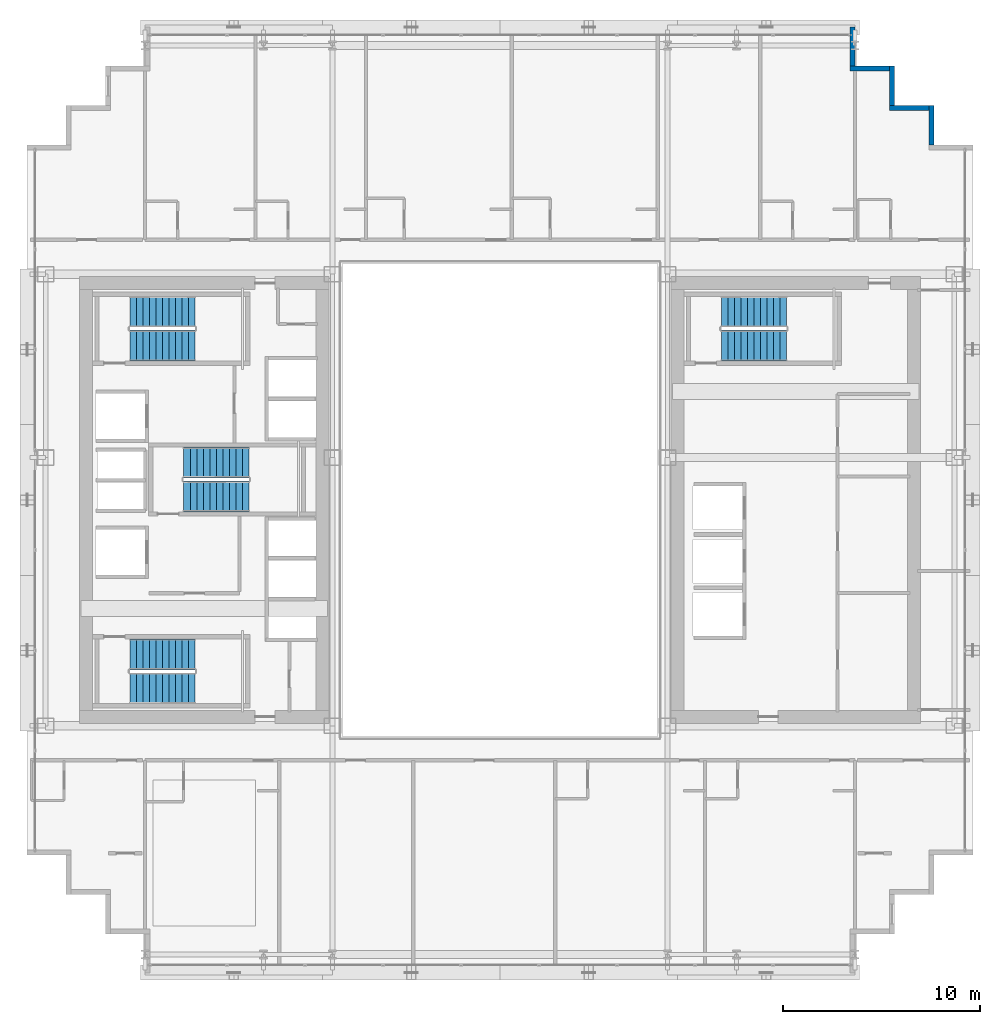
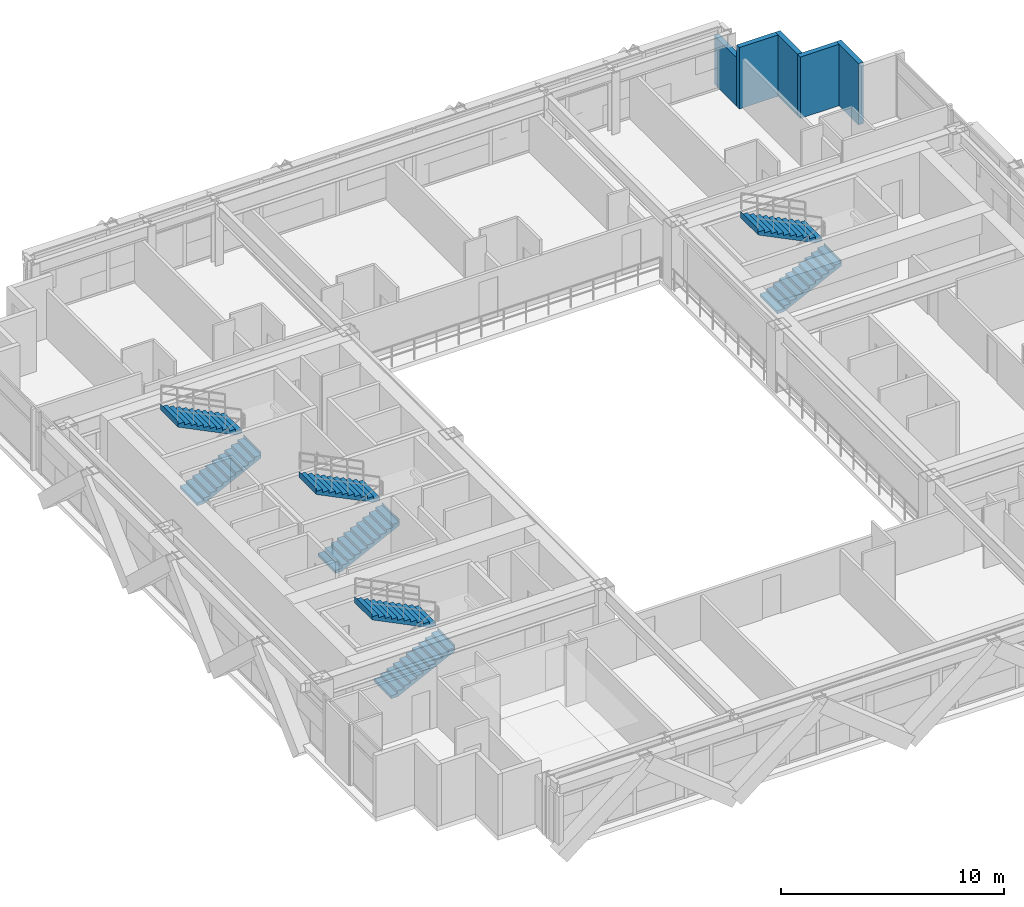
# One storey, part 31 of 35: 8 stair flights, 5 walls, 4 elements without a shape of their own.
"""IFC4 building model written with IfcOpenShell, lengths in metres."""

from ifc_helpers import new_model, si_unit, direction, frame, frame_2d, origin, place, context, subcontext, project, spatial, polyline, rectangle, outline, extrude, source, transform, mapped, material, layer, layer_set, type_object, element, aggregate, save


model = new_model("IFC4")

# Units and contexts
model_context = context("Model", 3, precision=1e-05, world=origin(), true_north=direction((0.0, 1.0)))
body_context = subcontext(model_context, "Body", "Model", "MODEL_VIEW")
ifc_project = project(units=[si_unit("LENGTHUNIT", "METRE"), si_unit("AREAUNIT", "SQUARE_METRE"), si_unit("VOLUMEUNIT", "CUBIC_METRE"), si_unit("PLANEANGLEUNIT", "RADIAN"), si_unit("MASSUNIT", "GRAM", prefix="KILO")], contexts=[model_context])

# Site, building, storey
site_placement = place(None, origin())
site = spatial("IfcSite", under=ifc_project, at=site_placement, CompositionType="ELEMENT")
building_placement = place(site_placement, origin())
building = spatial("IfcBuilding", under=site, at=building_placement, Name="Ocotamira Hotel", CompositionType="ELEMENT")
storey_placement = place(building_placement, frame((0.0, 0.0, 140.39990234375)))
storey = spatial("IfcBuildingStorey", under=building, at=storey_placement, Name="L35", CompositionType="ELEMENT", Elevation=140.39990234375)

# Walls
ifc_material_1 = material(Name="Precast concrete C45/55", Category="concrete")
ifc_layer = layer(ifc_material_1, 0.25)
ifc_layer_set = layer_set([ifc_layer], Name="Precast concrete C45/55")
wall_type = type_object("IfcWallType", Name="WL-EXT-SER-250", PredefinedType="SOLIDWALL", material=ifc_layer_set)
for number, where, z_axis, x_axis, name in (
    (1, (53.875, 44.0, 0.0), (0.0, 0.0, 1.0), (0.0, 1.0, 0.0), "L35 Serrated Corner Wall 08"),
    (2, (53.75, 45.875, 0.0), (0.0, 0.0, 1.0), (-1.0, 0.0, 0.0), "L35 Serrated Corner Wall 09"),
    (3, (51.875, 46.0, 0.0), (0.0, 0.0, 1.0), (0.0, 1.0, 0.0), "L35 Serrated Corner Wall 10"),
    (4, (51.75, 47.875, 0.0), (0.0, 0.0, 1.0), (-1.0, 0.0, 0.0), "L35 Serrated Corner Wall 11"),
):
    element("IfcWall", number, at=place(storey_placement, frame(where, z_axis=z_axis, x_axis=x_axis)), inside=storey, type_object=wall_type, Name=name, PredefinedType="SOLIDWALL", context=body_context, shape_type="SweptSolid", body=[
        extrude(rectangle(XDim=2.0, YDim=0.25, at=frame_2d((1.0, 0.0))), origin(), (0.0, 0.0, 1.0), 3.360107421875),
    ])
wall_placement = place(storey_placement, frame((49.875, 48.0, 0.0), z_axis=(0.0, 0.0, 1.0), x_axis=(0.0, 1.0, 0.0)))
element("IfcWall", 5, at=wall_placement, inside=storey, type_object=wall_type, Name="L35 Serrated Corner Wall 12", PredefinedType="SOLIDWALL", context=body_context, shape_type="SweptSolid", body=[
    extrude(rectangle(XDim=2.0, YDim=0.25, at=frame_2d((1.0, 0.0))), origin(), (0.0, 0.0, 1.0), 2.6669921875),
])

# Stair, stair flights
ifc_material_2 = material(Name="Concrete C40/50", Category="concrete")
stair_type = type_object("IfcStairType", Name="ST-CORE-1560", PredefinedType="HALF_TURN_STAIR", material=ifc_material_2)
stair_1_placement = place(storey_placement, origin())
stair_1 = element("IfcStair", 6, at=stair_1_placement, inside=storey, type_object=stair_type, Name="L35 Exit Stair ST-1", PredefinedType="HALF_TURN_STAIR")
stair_flight_type = type_object("IfcStairFlightType", Name="STF-CORE-1560", PredefinedType="STRAIGHT", material=ifc_material_2)
shared_shape = source(origin(), body_context, "Body", "SweptSolid", [
    extrude(outline(polyline([(-0.00390625, 0.0), (-0.00390625, 0.16357421875), (0.330078125, 0.16357421875), (0.330078125, 0.327392578125), (0.659912109375, 0.327392578125), (0.659912109375, 0.490966796875), (0.989990234375, 0.490966796875), (0.989990234375, 0.654541015625), (1.320068359375, 0.654541015625), (1.320068359375, 0.818115234375), (1.64990234375, 0.818115234375), (1.64990234375, 0.98193359375), (1.97998046875, 0.98193359375), (1.97998046875, 1.1455078125), (2.31005859375, 1.1455078125), (2.31005859375, 1.30908203125), (2.639892578125, 1.30908203125), (2.639892578125, 1.47265625), (2.969970703125, 1.47265625), (2.969970703125, 1.636474609375), (3.300048828125, 1.636474609375), (3.300048828125, 1.800048828125), (3.303955078125, 1.800048828125), (3.303955078125, 1.468994140625), (0.33740234375, 0.0), (-0.00390625, 0.0)])), frame((0.0, 0.780029296875, 0.0), z_axis=(0.0, -1.0, 0.0), x_axis=(1.0, 0.0, 0.0)), (0.0, 0.0, 1.0), 1.56005859375),
])
stair_flight_1_placement = place(storey_placement, frame((13.22998046875, 16.449951171875, 0.0), z_axis=(0.0, 0.0, 1.0), x_axis=(1.0, 0.0, 0.0)))
stair_flight_1 = element("IfcStairFlight", 7, at=stair_flight_1_placement, type_object=stair_flight_type, Name="ST-1 flight 1", NumberOfRisers=11, NumberOfTreads=10, PredefinedType="STRAIGHT", RiserHeight=0.163636364, TreadLength=0.33, context=body_context, shape_type="MappedRepresentation", body=[
    mapped(shared_shape, transform((0.0, 0.0, 0.0), scale=1.0)),
])
stair_flight_2_placement = place(storey_placement, frame((16.530029296875, 18.169921875, 1.800048828125), z_axis=(0.0, 0.0, 1.0), x_axis=(-1.0, 0.0, 0.0)))
stair_flight_2 = element("IfcStairFlight", 8, at=stair_flight_2_placement, type_object=stair_flight_type, Name="ST-1 flight 2", NumberOfRisers=11, NumberOfTreads=10, PredefinedType="STRAIGHT", RiserHeight=0.163636364, TreadLength=0.33, context=body_context, shape_type="MappedRepresentation", body=[
    mapped(shared_shape, transform((0.0, 0.0, 0.0), scale=1.0)),
])
aggregate(stair_1, [stair_flight_1, stair_flight_2])

stair_2_placement = place(storey_placement, origin())
stair_2 = element("IfcStair", 9, at=stair_2_placement, inside=storey, type_object=stair_type, Name="L35 Exit Stair ST-2", PredefinedType="HALF_TURN_STAIR")
stair_flight_3_placement = place(storey_placement, frame((13.22998046875, 33.830078125, 0.0), z_axis=(0.0, 0.0, 1.0), x_axis=(1.0, 0.0, 0.0)))
stair_flight_3 = element("IfcStairFlight", 10, at=stair_flight_3_placement, type_object=stair_flight_type, Name="ST-2 flight 1", NumberOfRisers=11, NumberOfTreads=10, PredefinedType="STRAIGHT", RiserHeight=0.163636364, TreadLength=0.33, context=body_context, shape_type="MappedRepresentation", body=[
    mapped(shared_shape, transform((0.0, 0.0, 0.0), scale=1.0)),
])
stair_flight_4_placement = place(storey_placement, frame((16.530029296875, 35.550048828125, 1.800048828125), z_axis=(0.0, 0.0, 1.0), x_axis=(-1.0, 0.0, 0.0)))
stair_flight_4 = element("IfcStairFlight", 11, at=stair_flight_4_placement, type_object=stair_flight_type, Name="ST-2 flight 2", NumberOfRisers=11, NumberOfTreads=10, PredefinedType="STRAIGHT", RiserHeight=0.163636364, TreadLength=0.33, context=body_context, shape_type="MappedRepresentation", body=[
    mapped(shared_shape, transform((0.0, 0.0, 0.0), scale=1.0)),
])
aggregate(stair_2, [stair_flight_3, stair_flight_4])

stair_3_placement = place(storey_placement, origin())
stair_3 = element("IfcStair", 12, at=stair_3_placement, inside=storey, type_object=stair_type, Name="L35 Exit Stair ST-3", PredefinedType="HALF_TURN_STAIR")
stair_flight_5_placement = place(storey_placement, frame((15.9599609375, 26.179931640625, 0.0), z_axis=(0.0, 0.0, 1.0), x_axis=(1.0, 0.0, 0.0)))
stair_flight_5 = element("IfcStairFlight", 13, at=stair_flight_5_placement, type_object=stair_flight_type, Name="ST-3 flight 1", NumberOfRisers=11, NumberOfTreads=10, PredefinedType="STRAIGHT", RiserHeight=0.163636364, TreadLength=0.33, context=body_context, shape_type="MappedRepresentation", body=[
    mapped(shared_shape, transform((0.0, 0.0, 0.0), scale=1.0)),
])
stair_flight_6_placement = place(storey_placement, frame((19.260009765625, 27.89990234375, 1.800048828125), z_axis=(0.0, 0.0, 1.0), x_axis=(-1.0, 0.0, 0.0)))
stair_flight_6 = element("IfcStairFlight", 14, at=stair_flight_6_placement, type_object=stair_flight_type, Name="ST-3 flight 2", NumberOfRisers=11, NumberOfTreads=10, PredefinedType="STRAIGHT", RiserHeight=0.163636364, TreadLength=0.33, context=body_context, shape_type="MappedRepresentation", body=[
    mapped(shared_shape, transform((0.0, 0.0, 0.0), scale=1.0)),
])
aggregate(stair_3, [stair_flight_5, stair_flight_6])

stair_4_placement = place(storey_placement, origin())
stair_4 = element("IfcStair", 15, at=stair_4_placement, inside=storey, type_object=stair_type, Name="L35 Exit Stair ST-4", PredefinedType="HALF_TURN_STAIR")
stair_flight_7_placement = place(storey_placement, frame((43.22998046875, 33.830078125, 0.0), z_axis=(0.0, 0.0, 1.0), x_axis=(1.0, 0.0, 0.0)))
stair_flight_7 = element("IfcStairFlight", 16, at=stair_flight_7_placement, type_object=stair_flight_type, Name="ST-4 flight 1", NumberOfRisers=11, NumberOfTreads=10, PredefinedType="STRAIGHT", RiserHeight=0.163636364, TreadLength=0.33, context=body_context, shape_type="MappedRepresentation", body=[
    mapped(shared_shape, transform((0.0, 0.0, 0.0), scale=1.0)),
])
stair_flight_8_placement = place(storey_placement, frame((46.530029296875, 35.550048828125, 1.800048828125), z_axis=(0.0, 0.0, 1.0), x_axis=(-1.0, 0.0, 0.0)))
stair_flight_8 = element("IfcStairFlight", 17, at=stair_flight_8_placement, type_object=stair_flight_type, Name="ST-4 flight 2", NumberOfRisers=11, NumberOfTreads=10, PredefinedType="STRAIGHT", RiserHeight=0.163636364, TreadLength=0.33, context=body_context, shape_type="MappedRepresentation", body=[
    mapped(shared_shape, transform((0.0, 0.0, 0.0), scale=1.0)),
])
aggregate(stair_4, [stair_flight_7, stair_flight_8])

save(model, "model.ifc")
